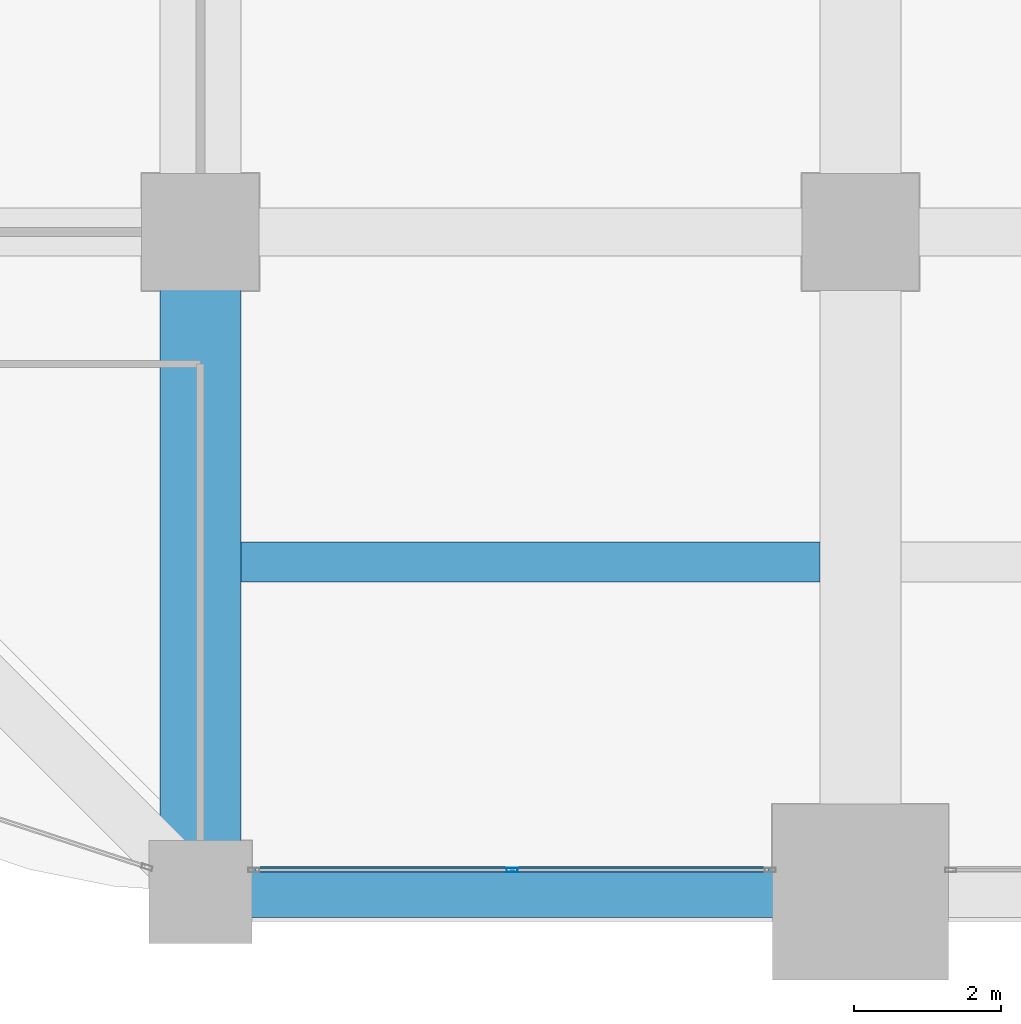
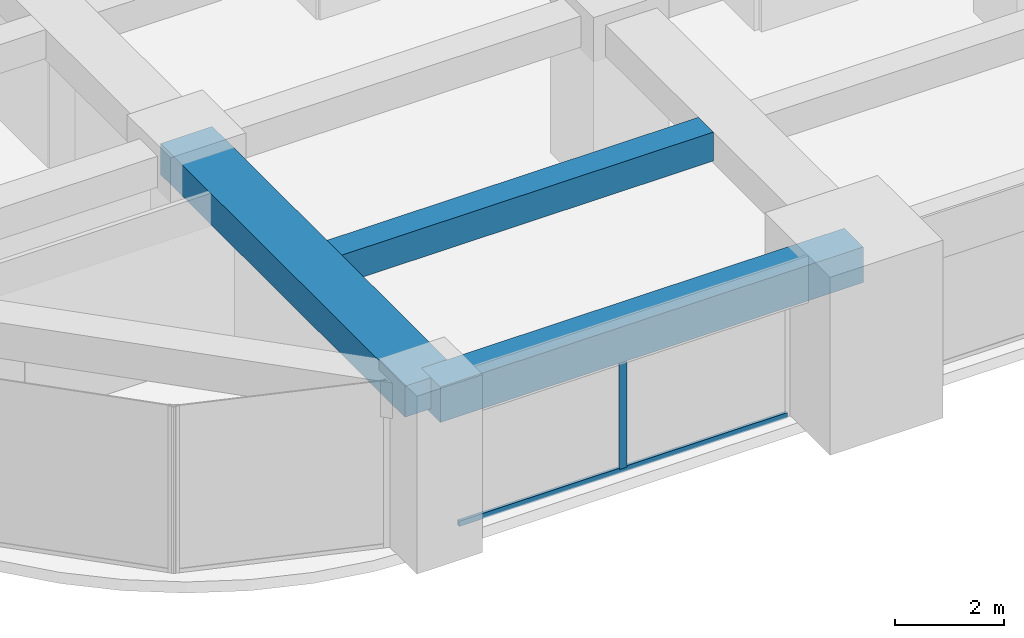
# One storey, part 3 of 32: 3 beams, 2 members, 1 element without a shape of its own.
"""IFC4 building model written with IfcOpenShell, lengths in metres."""

from ifc_helpers import new_model, si_unit, direction, frame, origin, origin_2d, place, context, subcontext, project, spatial, rectangle, hollow_rectangle, extrude, material, material_profile, profile_set, type_object, element, aggregate, save


model = new_model("IFC4")

# Units and contexts
model_context = context("Model", 3, precision=1e-05, world=origin(), true_north=direction((0.0, 1.0)))
body_context = subcontext(model_context, "Body", "Model", "MODEL_VIEW")
ifc_project = project(units=[si_unit("LENGTHUNIT", "METRE"), si_unit("AREAUNIT", "SQUARE_METRE"), si_unit("VOLUMEUNIT", "CUBIC_METRE"), si_unit("PLANEANGLEUNIT", "RADIAN"), si_unit("MASSUNIT", "GRAM", prefix="KILO")], contexts=[model_context])

# Site, building, storey
site_placement = place(None, origin())
site = spatial("IfcSite", under=ifc_project, at=site_placement, CompositionType="ELEMENT")
building_placement = place(site_placement, origin())
building = spatial("IfcBuilding", under=site, at=building_placement, Name="Zorevar Civic Tower", CompositionType="ELEMENT")
storey_placement = place(building_placement, frame((0.0, 0.0, 186.199951171875)))
storey = spatial("IfcBuildingStorey", under=building, at=storey_placement, Name="L45", CompositionType="ELEMENT", Elevation=186.199951171875)

# Beams
ifc_material_1 = material(Name="Concrete C50/60", Category="concrete")
ifc_material_profile_1 = material_profile(ifc_material_1, rectangle(XDim=1.10009765625, YDim=0.699951171875, at=origin_2d()), Name="RC 1100x700")
ifc_profile_set_1 = profile_set([ifc_material_profile_1], Name="Concrete C50/60")
beam_type_1 = type_object("IfcBeamType", Name="Beam RC 1100x700", PredefinedType="BEAM", material=ifc_profile_set_1)
beam_1_placement = place(storey_placement, frame((9.0, 0.0, 3.400146484375), z_axis=(0.0, 1.0, 0.0), x_axis=(-1.0, 0.0, 0.0)))
element("IfcBeam", 1, at=beam_1_placement, inside=storey, type_object=beam_type_1, Name="Girder L46", PredefinedType="BEAM", context=body_context, shape_type="SweptSolid", body=[
    extrude(rectangle(XDim=1.10009765625, YDim=0.699951171875, at=origin_2d()), origin(), (0.0, 0.0, 1.0), 9.0),
])
ifc_material_2 = material(Name="Concrete C50/60", Category="concrete")
ifc_material_profile_2 = material_profile(ifc_material_2, rectangle(XDim=0.550048828125, YDim=0.64990234375, at=origin_2d()), Name="RC 550x650")
ifc_profile_set_2 = profile_set([ifc_material_profile_2], Name="Concrete C50/60")
beam_type_2 = type_object("IfcBeamType", Name="Beam RC 550x650", PredefinedType="BEAM", material=ifc_profile_set_2)
beam_2_placement = place(storey_placement, frame((9.550048828125, 4.5, 3.425048828125), z_axis=(1.0, 0.0, 0.0), x_axis=(0.0, 1.0, 0.0)))
element("IfcBeam", 2, at=beam_2_placement, inside=storey, type_object=beam_type_2, Name="Secondary beam L46", PredefinedType="BEAM", context=body_context, shape_type="SweptSolid", body=[
    extrude(rectangle(XDim=0.550048828125, YDim=0.64990234375, at=origin_2d()), origin(), (0.0, 0.0, 1.0), 7.89990234375),
])

# Curtain wall, members
ifc_material_3 = material(Name="Dark grey solar-control glass in black aluminium frame", Category="aluminium")
curtain_wall_type = type_object("IfcCurtainWallType", Name="Curtain wall CW4 high zone", PredefinedType="NOTDEFINED", material=ifc_material_3)
curtain_wall_placement = place(storey_placement, origin())
curtain_wall = element("IfcCurtainWall", 3, at=curtain_wall_placement, inside=storey, type_object=curtain_wall_type, Name="CW4 L45", PredefinedType="NOTDEFINED")
ifc_material_4 = material(Name="Aluminium, black anodised", Category="aluminium")
ifc_material_profile_3 = material_profile(ifc_material_4, hollow_rectangle(XDim=0.06005859375, YDim=0.14990234375, WallThickness=0.00390625, at=origin_2d()), Name="AL 150x60x4")
ifc_profile_set_3 = profile_set([ifc_material_profile_3], Name="Aluminium, black anodised")
member_type_1 = type_object("IfcMemberType", Name="CW4 mullion AL 150x60x4", PredefinedType="MULLION", material=ifc_profile_set_3)
member_1_placement = place(storey_placement, frame((13.25, 0.300048828125, 0.06005859375), z_axis=(0.0, 0.0, 1.0), x_axis=(0.0, 1.0, 0.0)))
member_1 = element("IfcMember", 4, at=member_1_placement, type_object=member_type_1, Name="CW4 mullion 2", PredefinedType="MULLION", context=body_context, shape_type="SweptSolid", body=[
    extrude(hollow_rectangle(XDim=0.06005859375, YDim=0.14990234375, WallThickness=0.00390625, at=origin_2d()), origin(), (0.0, 0.0, 1.0), 2.889892578125),
])
ifc_material_5 = material(Name="Aluminium, black anodised", Category="aluminium")
ifc_material_profile_4 = material_profile(ifc_material_5, hollow_rectangle(XDim=0.06005859375, YDim=0.1201171875, WallThickness=0.0029296875, at=origin_2d()), Name="AL 120x60x3")
ifc_profile_set_4 = profile_set([ifc_material_profile_4], Name="Aluminium, black anodised")
member_type_2 = type_object("IfcMemberType", Name="CW4 transom AL 120x60x3", PredefinedType="USERDEFINED", material=ifc_profile_set_4)
member_2_placement = place(storey_placement, frame((9.760009765625, 0.300048828125, 0.030029296875), z_axis=(1.0, 0.0, 0.0), x_axis=(0.0, 1.0, 0.0)))
member_2 = element("IfcMember", 5, at=member_2_placement, type_object=member_type_2, Name="CW4 sill transom", ObjectType="TRANSOM", PredefinedType="USERDEFINED", context=body_context, shape_type="SweptSolid", body=[
    extrude(hollow_rectangle(XDim=0.06005859375, YDim=0.1201171875, WallThickness=0.0029296875, at=origin_2d()), origin(), (0.0, 0.0, 1.0), 6.97998046875),
])
aggregate(curtain_wall, [member_1, member_2])

# Beam
ifc_material_6 = material(Name="Concrete C50/60", Category="concrete")
ifc_material_profile_5 = material_profile(ifc_material_6, rectangle(XDim=0.699951171875, YDim=0.800048828125, at=origin_2d()), Name="RC 700x800")
ifc_profile_set_5 = profile_set([ifc_material_profile_5], Name="Concrete C50/60")
beam_type_3 = type_object("IfcBeamType", Name="Edge beam RC 700x800", PredefinedType="SPANDREL", material=ifc_profile_set_5)
beam_3_placement = place(storey_placement, frame((9.0, 0.0, 3.35009765625), z_axis=(1.0, 0.0, 0.0), x_axis=(0.0, 1.0, 0.0)))
element("IfcBeam", 6, at=beam_3_placement, inside=storey, type_object=beam_type_3, Name="Edge beam L46", PredefinedType="SPANDREL", context=body_context, shape_type="SweptSolid", body=[
    extrude(rectangle(XDim=0.699951171875, YDim=0.800048828125, at=origin_2d()), origin(), (0.0, 0.0, 1.0), 9.0),
])

save(model, "model.ifc")
